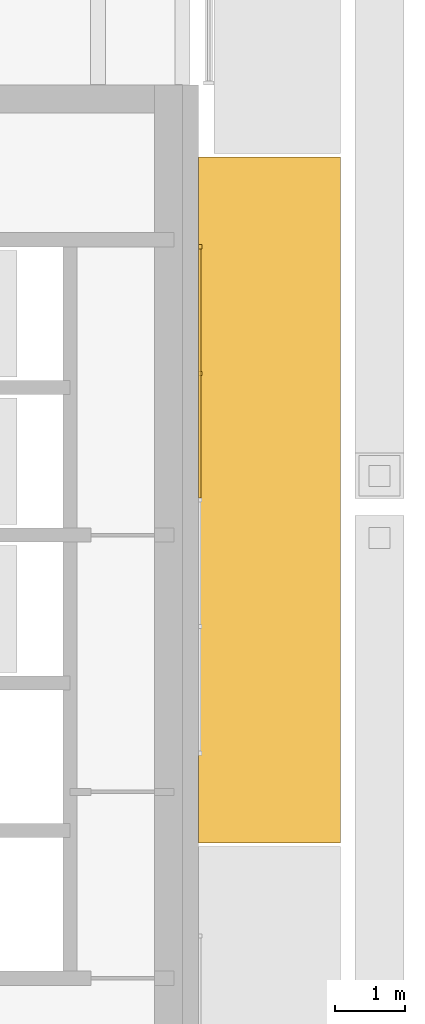
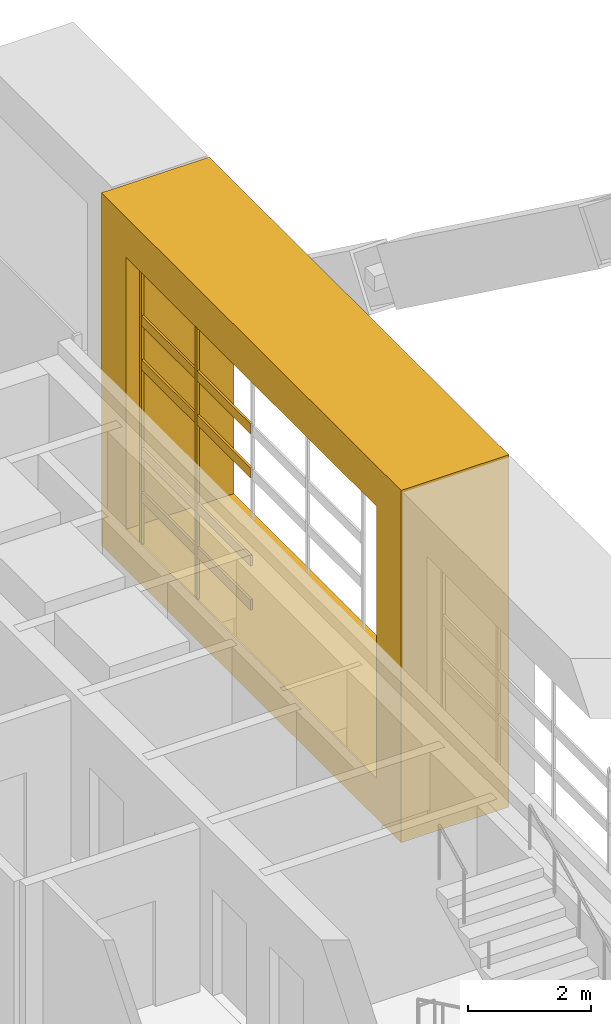
# One storey, part 21 of 23: 7 coverings.
"""IFC4 building model written with IfcOpenShell, lengths in metres."""

from ifc_helpers import new_model, si_unit, direction, frame, origin, origin_2d, place, context, subcontext, project, spatial, polyline, rectangle, outline, extrude, material, type_object, element, save


model = new_model("IFC4")

# Units and contexts
model_context = context("Model", 3, precision=1e-05, world=origin(), true_north=direction((0.0, 1.0)))
body_context = subcontext(model_context, "Body", "Model", "MODEL_VIEW")
ifc_project = project(units=[si_unit("LENGTHUNIT", "METRE"), si_unit("AREAUNIT", "SQUARE_METRE"), si_unit("VOLUMEUNIT", "CUBIC_METRE"), si_unit("PLANEANGLEUNIT", "RADIAN"), si_unit("MASSUNIT", "GRAM", prefix="KILO")], contexts=[model_context])

# Site, building, storey
site_placement = place(None, origin())
site = spatial("IfcSite", under=ifc_project, at=site_placement, CompositionType="ELEMENT")
building_placement = place(site_placement, origin())
building = spatial("IfcBuilding", under=site, at=building_placement, Name="Cobrizo Arcos Hotel Tower", CompositionType="ELEMENT")
storey_placement = place(building_placement, frame((0.0, 0.0, 262.0)))
storey = spatial("IfcBuildingStorey", under=building, at=storey_placement, Name="L69", CompositionType="ELEMENT", Elevation=262.0)

# Coverings
ifc_material_1 = material(Name="Aluminium 6063-T6 anodised bronze", Category="aluminium")
covering_type_1 = type_object("IfcCoveringType", Name="FIN-F 2025", PredefinedType="CLADDING", material=ifc_material_1)
covering_placement = place(storey_placement, frame((20.625, 0.02490234375, 0.0), z_axis=(1.0, 0.0, 0.0), x_axis=(0.0, 1.0, 0.0)))
element("IfcCovering", 1, at=covering_placement, inside=storey, type_object=covering_type_1, Name="Fin frame 393", PredefinedType="CLADDING", context=body_context, shape_type="SweptSolid", body=[
    extrude(outline(polyline([(0.0, 7.0), (0.0, 0.0), (9.75, 0.0), (9.75, 7.0), (0.0, 7.0)]), holes=[polyline([(8.949951171875, 0.800048828125), (0.800048828125, 0.800048828125), (0.800048828125, 6.199951171875), (8.949951171875, 6.199951171875), (8.949951171875, 0.800048828125)])]), origin(), (0.0, 0.0, 1.0), 2.02490234375),
])
ifc_material_2 = material(Name="Aluminium 6063-T6 anodised pale", Category="aluminium")
covering_type_2 = type_object("IfcCoveringType", Name="RS-2 rainscreen rib 60x50", PredefinedType="CLADDING", material=ifc_material_2)
for number, where, z_axis, x_axis, name in (
    (2, (20.64990234375, 6.699951171875, 0.800048828125), (0.0, 0.0, 1.0), (0.0, 1.0, 0.0), "Rainscreen rib 279"),
    (3, (20.64990234375, 8.5, 0.800048828125), (0.0, 0.0, 1.0), (0.0, 1.0, 0.0), "Rainscreen rib 280"),
):
    element("IfcCovering", number, at=place(storey_placement, frame(where, z_axis=z_axis, x_axis=x_axis)), inside=storey, type_object=covering_type_2, Name=name, PredefinedType="CLADDING", context=body_context, shape_type="SweptSolid", body=[
        extrude(rectangle(XDim=0.06005859375, YDim=0.050048828125, at=origin_2d()), origin(), (0.0, 0.0, 1.0), 5.39990234375),
    ])
covering_type_3 = type_object("IfcCoveringType", Name="RS-3 rainscreen louvre slat 200x40", PredefinedType="CLADDING", material=ifc_material_2)
for number, where, z_axis, x_axis, name in (
    (4, (20.64501953125, 6.699951171875, 1.64990234375), (0.0, 0.0, 1.0), (0.0, 1.0, 0.0), "Rainscreen slat 111"),
    (5, (20.64501953125, 6.699951171875, 2.52490234375), (0.0, 0.0, 1.0), (0.0, 1.0, 0.0), "Rainscreen slat 112"),
    (6, (20.64501953125, 6.699951171875, 4.27490234375), (0.0, 0.0, 1.0), (0.0, 1.0, 0.0), "Rainscreen slat 115"),
    (7, (20.64501953125, 6.699951171875, 5.14990234375), (0.0, 0.0, 1.0), (0.0, 1.0, 0.0), "Rainscreen slat 116"),
):
    element("IfcCovering", number, at=place(storey_placement, frame(where, z_axis=z_axis, x_axis=x_axis)), inside=storey, type_object=covering_type_3, Name=name, PredefinedType="CLADDING", context=body_context, shape_type="SweptSolid", body=[
        extrude(rectangle(XDim=3.5400390625, YDim=0.0400390625, at=origin_2d()), origin(), (0.0, 0.0, 1.0), 0.199951171875),
    ])

save(model, "model.ifc")
